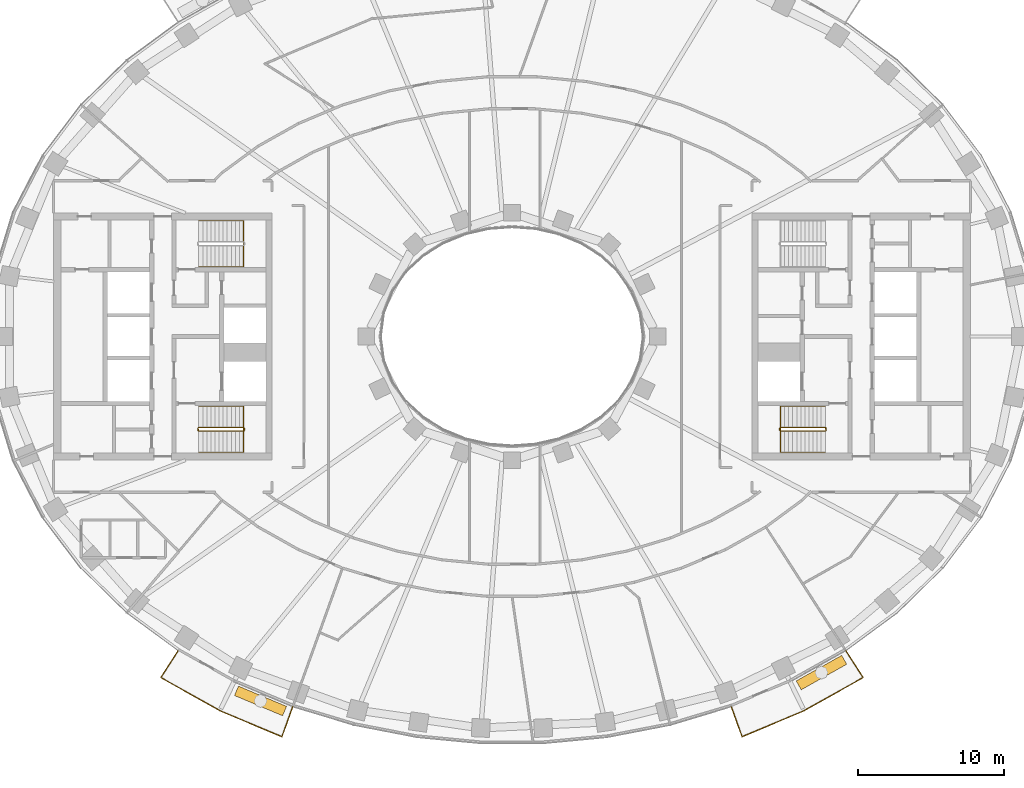
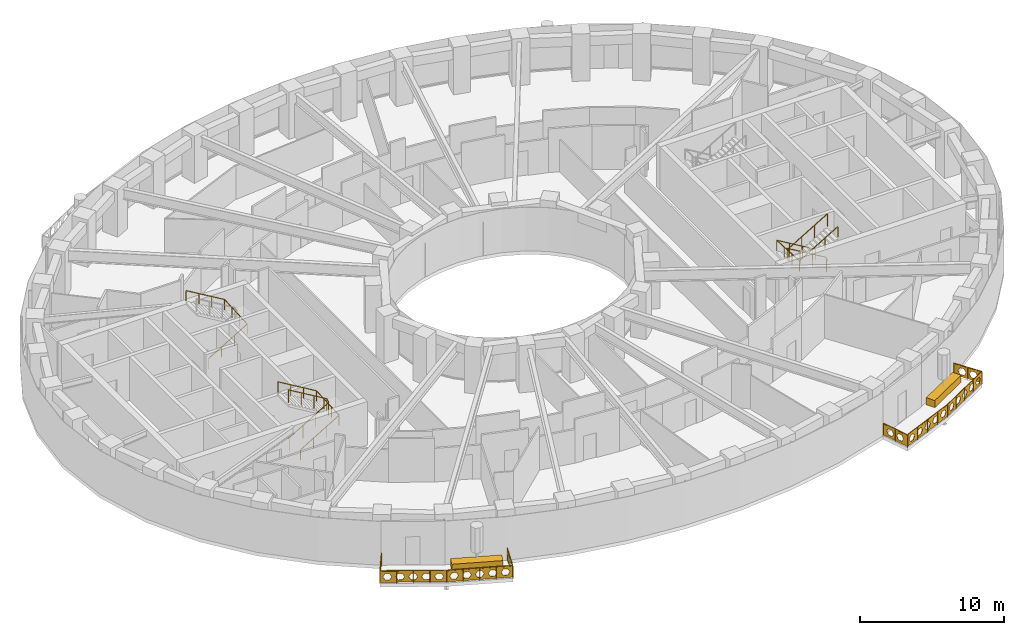
# One storey, part 14 of 16: 7 railings, 2 coverings.
"""IFC4 building model written with IfcOpenShell, lengths in metres."""

from ifc_helpers import new_model, si_unit, direction, frame, origin, origin_2d, place, context, subcontext, project, spatial, polyline, rectangle, outline, extrude, material, type_object, element, save


model = new_model("IFC4")

# Units and contexts
model_context = context("Model", 3, precision=1e-05, world=origin(), true_north=direction((0.0, 1.0)))
body_context = subcontext(model_context, "Body", "Model", "MODEL_VIEW")
ifc_project = project(units=[si_unit("LENGTHUNIT", "METRE"), si_unit("AREAUNIT", "SQUARE_METRE"), si_unit("VOLUMEUNIT", "CUBIC_METRE"), si_unit("PLANEANGLEUNIT", "RADIAN"), si_unit("MASSUNIT", "GRAM", prefix="KILO")], contexts=[model_context])

# Site, building, storey
site_placement = place(None, origin())
site = spatial("IfcSite", under=ifc_project, at=site_placement, CompositionType="ELEMENT")
building_placement = place(site_placement, origin())
building = spatial("IfcBuilding", under=site, at=building_placement, Name="Noorbagh Ring Tower", CompositionType="ELEMENT")
storey_placement = place(building_placement, frame((0.0, 0.0, 116.0)))
storey = spatial("IfcBuildingStorey", under=building, at=storey_placement, Name="L26", CompositionType="ELEMENT", Elevation=116.0)

# Railings
ifc_material_1 = material(Name="Stainless steel", Category="steel")
railing_type_1 = type_object("IfcRailingType", Name="CORE-STAIR-GUARD", PredefinedType="GUARDRAIL", material=ifc_material_1)
railing_1_placement = place(storey_placement, frame((-21.580078125, -6.449951171875, 0.0)))
element("IfcRailing", 1, at=railing_1_placement, inside=storey, type_object=railing_type_1, Name="L26 ST2 stair guard", PredefinedType="GUARDRAIL", context=body_context, shape_type="SweptSolid", body=[
    extrude(rectangle(XDim=0.048095703125, YDim=0.048095703125, at=origin_2d()), frame((0.0, 0.0, 1.076171875), z_axis=(0.0, 1.0, 0.0), x_axis=(-1.0, 0.0, 0.0)), (0.0, 0.0, 1.0), 0.14990234375),
    extrude(rectangle(XDim=0.048095703125, YDim=0.048095703125, at=origin_2d()), frame((0.0, 0.14990234375, 1.076171875), z_axis=(0.188775798145, -0.754182335027, 0.628945707965), x_axis=(0.970072785993, 0.242814311512, 0.0)), (0.0, 0.0, 1.0), 0.26513671875),
    extrude(rectangle(XDim=0.048095703125, YDim=0.048095703125, at=origin_2d()), frame((0.050048828125, -0.050048828125, 1.24267578125), z_axis=(0.859308565015, 0.0, 0.511457515432), x_axis=(0.0, 1.0, 0.0)), (0.0, 0.0, 1.0), 3.58447265625),
    extrude(rectangle(XDim=0.048095703125, YDim=0.048095703125, at=origin_2d()), frame((3.130126953125, -0.050048828125, 3.076171875), z_axis=(0.707106781187, 0.707106781187, 0.0), x_axis=(-0.707106781187, 0.707106781187, 0.0)), (0.0, 0.0, 1.0), 0.07080078125),
    extrude(rectangle(XDim=0.048095703125, YDim=0.048095703125, at=origin_2d()), frame((3.18017578125, 0.0, 3.076171875), z_axis=(0.0, 1.0, 0.0), x_axis=(-1.0, 0.0, 0.0)), (0.0, 0.0, 1.0), 0.14990234375),
    extrude(rectangle(XDim=0.048095703125, YDim=0.048095703125, at=origin_2d()), frame((3.18017578125, 0.14990234375, 3.076171875), z_axis=(-0.27628659633, 0.27628659633, 0.920506074601), x_axis=(-0.707106781187, -0.707106781187, 0.0)), (0.0, 0.0, 1.0), 0.18115234375),
    extrude(rectangle(XDim=0.048095703125, YDim=0.048095703125, at=origin_2d()), frame((3.130126953125, 0.199951171875, 3.24267578125), z_axis=(-0.859308565015, 0.0, 0.511457515432), x_axis=(0.0, -1.0, 0.0)), (0.0, 0.0, 1.0), 3.58447265625),
    extrude(rectangle(XDim=0.0419921875, YDim=0.0419921875, at=origin_2d()), origin(), (0.0, 0.0, 1.0), 1.052001953125),
    extrude(rectangle(XDim=0.0419921875, YDim=0.0419921875, at=origin_2d()), frame((1.07666015625, -0.050048828125, 0.77783203125)), (0.0, 0.0, 1.0), 1.052001953125),
    extrude(rectangle(XDim=0.0419921875, YDim=0.0419921875, at=origin_2d()), frame((2.103515625, -0.050048828125, 1.388916015625)), (0.0, 0.0, 1.0), 1.052001953125),
    extrude(rectangle(XDim=0.0419921875, YDim=0.0419921875, at=origin_2d()), frame((3.130126953125, -0.050048828125, 2.0)), (0.0, 0.0, 1.0), 1.052001953125),
    extrude(rectangle(XDim=0.0419921875, YDim=0.0419921875, at=origin_2d()), frame((3.130126953125, 0.199951171875, 2.166748046875)), (0.0, 0.0, 1.0), 1.052001953125),
    extrude(rectangle(XDim=0.0419921875, YDim=0.0419921875, at=origin_2d()), frame((2.103515625, 0.199951171875, 2.77783203125)), (0.0, 0.0, 1.0), 1.052001953125),
    extrude(rectangle(XDim=0.0419921875, YDim=0.0419921875, at=origin_2d()), frame((1.07666015625, 0.199951171875, 3.388916015625)), (0.0, 0.0, 1.0), 1.052001953125),
    extrude(rectangle(XDim=0.0419921875, YDim=0.0419921875, at=origin_2d()), frame((0.050048828125, 0.199951171875, 4.0)), (0.0, 0.0, 1.0), 1.052001953125),
])
railing_2_placement = place(storey_placement, frame((21.580078125, -6.300048828125, 0.0)))
element("IfcRailing", 2, at=railing_2_placement, inside=storey, type_object=railing_type_1, Name="L26 ST4 stair guard", PredefinedType="GUARDRAIL", context=body_context, shape_type="SweptSolid", body=[
    extrude(rectangle(XDim=0.048095703125, YDim=0.048095703125, at=origin_2d()), frame((0.0, 0.0, 1.076171875), z_axis=(0.0, -1.0, 0.0), x_axis=(1.0, 0.0, 0.0)), (0.0, 0.0, 1.0), 0.14990234375),
    extrude(rectangle(XDim=0.048095703125, YDim=0.048095703125, at=origin_2d()), frame((0.0, -0.14990234375, 1.076171875), z_axis=(-0.188775798145, 0.754182335027, 0.628945707965), x_axis=(-0.970072785993, -0.242814311512, 0.0)), (0.0, 0.0, 1.0), 0.26513671875),
    extrude(rectangle(XDim=0.048095703125, YDim=0.048095703125, at=origin_2d()), frame((-0.050048828125, 0.050048828125, 1.24267578125), z_axis=(-0.859308565015, 0.0, 0.511457515432), x_axis=(0.0, -1.0, 0.0)), (0.0, 0.0, 1.0), 3.58447265625),
    extrude(rectangle(XDim=0.048095703125, YDim=0.048095703125, at=origin_2d()), frame((-3.130126953125, 0.050048828125, 3.076171875), z_axis=(-0.707106781187, -0.707106781187, 0.0), x_axis=(0.707106781187, -0.707106781187, 0.0)), (0.0, 0.0, 1.0), 0.07080078125),
    extrude(rectangle(XDim=0.048095703125, YDim=0.048095703125, at=origin_2d()), frame((-3.18017578125, 0.0, 3.076171875), z_axis=(0.0, -1.0, 0.0), x_axis=(1.0, 0.0, 0.0)), (0.0, 0.0, 1.0), 0.14990234375),
    extrude(rectangle(XDim=0.048095703125, YDim=0.048095703125, at=origin_2d()), frame((-3.18017578125, -0.14990234375, 3.076171875), z_axis=(0.27628659633, -0.27628659633, 0.920506074601), x_axis=(0.707106781187, 0.707106781187, 0.0)), (0.0, 0.0, 1.0), 0.18115234375),
    extrude(rectangle(XDim=0.048095703125, YDim=0.048095703125, at=origin_2d()), frame((-3.130126953125, -0.199951171875, 3.24267578125), z_axis=(0.859308565015, 0.0, 0.511457515432), x_axis=(0.0, 1.0, 0.0)), (0.0, 0.0, 1.0), 3.58447265625),
    extrude(rectangle(XDim=0.0419921875, YDim=0.0419921875, at=origin_2d()), origin(), (0.0, 0.0, 1.0), 1.052001953125),
    extrude(rectangle(XDim=0.0419921875, YDim=0.0419921875, at=origin_2d()), frame((-1.07666015625, 0.050048828125, 0.77783203125)), (0.0, 0.0, 1.0), 1.052001953125),
    extrude(rectangle(XDim=0.0419921875, YDim=0.0419921875, at=origin_2d()), frame((-2.103515625, 0.050048828125, 1.388916015625)), (0.0, 0.0, 1.0), 1.052001953125),
    extrude(rectangle(XDim=0.0419921875, YDim=0.0419921875, at=origin_2d()), frame((-3.130126953125, 0.050048828125, 2.0)), (0.0, 0.0, 1.0), 1.052001953125),
    extrude(rectangle(XDim=0.0419921875, YDim=0.0419921875, at=origin_2d()), frame((-3.130126953125, -0.199951171875, 2.166748046875)), (0.0, 0.0, 1.0), 1.052001953125),
    extrude(rectangle(XDim=0.0419921875, YDim=0.0419921875, at=origin_2d()), frame((-2.103515625, -0.199951171875, 2.77783203125)), (0.0, 0.0, 1.0), 1.052001953125),
    extrude(rectangle(XDim=0.0419921875, YDim=0.0419921875, at=origin_2d()), frame((-1.07666015625, -0.199951171875, 3.388916015625)), (0.0, 0.0, 1.0), 1.052001953125),
    extrude(rectangle(XDim=0.0419921875, YDim=0.0419921875, at=origin_2d()), frame((-0.050048828125, -0.199951171875, 4.0)), (0.0, 0.0, 1.0), 1.052001953125),
])
ifc_material_2 = material(Name="Stainless steel", Category="steel")
railing_type_2 = type_object("IfcRailingType", Name="CORE-STAIR-HANDRAIL", PredefinedType="HANDRAIL", material=ifc_material_2)
railing_3_placement = place(storey_placement, frame((-21.530029296875, 4.800048828125, 0.166748046875)))
element("IfcRailing", 3, at=railing_3_placement, inside=storey, type_object=railing_type_2, Name="L26 ST1 stair handrail", PredefinedType="HANDRAIL", context=body_context, shape_type="SweptSolid", body=[
    extrude(rectangle(XDim=0.048095703125, YDim=0.048095703125, at=origin_2d()), frame((0.0, 0.0, 0.8759765625), z_axis=(0.859308565015, 0.0, 0.511457515432), x_axis=(0.0, 1.0, 0.0)), (0.0, 0.0, 1.0), 3.58447265625),
    extrude(rectangle(XDim=0.048095703125, YDim=0.048095703125, at=origin_2d()), frame((3.080078125, 0.0, 2.708984375), z_axis=(0.0, 0.998601747152, 0.052863509014), x_axis=(-1.0, 0.0, 0.0)), (0.0, 0.0, 1.0), 3.154296875),
    extrude(rectangle(XDim=0.048095703125, YDim=0.048095703125, at=origin_2d()), frame((3.080078125, 3.14990234375, 2.8759765625), z_axis=(-0.859308565015, 0.0, 0.511457515432), x_axis=(0.0, -1.0, 0.0)), (0.0, 0.0, 1.0), 3.58447265625),
    extrude(rectangle(XDim=0.0419921875, YDim=0.0419921875, at=origin_2d()), origin(), (0.0, 0.0, 1.0), 0.851806640625),
    extrude(rectangle(XDim=0.0419921875, YDim=0.0419921875, at=origin_2d()), frame((1.026611328125, 0.0, 0.611083984375)), (0.0, 0.0, 1.0), 0.851806640625),
    extrude(rectangle(XDim=0.0419921875, YDim=0.0419921875, at=origin_2d()), frame((2.053466796875, 0.0, 1.22216796875)), (0.0, 0.0, 1.0), 0.851806640625),
    extrude(rectangle(XDim=0.0419921875, YDim=0.0419921875, at=origin_2d()), frame((3.080078125, 0.0, 1.833251953125)), (0.0, 0.0, 1.0), 0.851806640625),
    extrude(rectangle(XDim=0.0419921875, YDim=0.0419921875, at=origin_2d()), frame((3.080078125, 1.050048828125, 1.888916015625)), (0.0, 0.0, 1.0), 0.851806640625),
    extrude(rectangle(XDim=0.0419921875, YDim=0.0419921875, at=origin_2d()), frame((3.080078125, 2.099853515625, 1.9443359375)), (0.0, 0.0, 1.0), 0.851806640625),
    extrude(rectangle(XDim=0.0419921875, YDim=0.0419921875, at=origin_2d()), frame((3.080078125, 3.14990234375, 2.0)), (0.0, 0.0, 1.0), 0.851806640625),
    extrude(rectangle(XDim=0.0419921875, YDim=0.0419921875, at=origin_2d()), frame((2.053466796875, 3.14990234375, 2.611083984375)), (0.0, 0.0, 1.0), 0.851806640625),
    extrude(rectangle(XDim=0.0419921875, YDim=0.0419921875, at=origin_2d()), frame((1.026611328125, 3.14990234375, 3.22216796875)), (0.0, 0.0, 1.0), 0.851806640625),
    extrude(rectangle(XDim=0.0419921875, YDim=0.0419921875, at=origin_2d()), frame((0.0, 3.14990234375, 3.833251953125)), (0.0, 0.0, 1.0), 0.851806640625),
])
railing_4_placement = place(storey_placement, frame((-21.530029296875, -7.949951171875, 0.166748046875)))
element("IfcRailing", 4, at=railing_4_placement, inside=storey, type_object=railing_type_2, Name="L26 ST2 stair handrail", PredefinedType="HANDRAIL", context=body_context, shape_type="SweptSolid", body=[
    extrude(rectangle(XDim=0.048095703125, YDim=0.048095703125, at=origin_2d()), frame((0.0, 0.0, 0.8759765625), z_axis=(0.859308565015, 0.0, 0.511457515432), x_axis=(0.0, 1.0, 0.0)), (0.0, 0.0, 1.0), 3.58447265625),
    extrude(rectangle(XDim=0.048095703125, YDim=0.048095703125, at=origin_2d()), frame((3.080078125, 0.0, 2.708984375), z_axis=(0.0, 0.998601747152, 0.052863509014), x_axis=(-1.0, 0.0, 0.0)), (0.0, 0.0, 1.0), 3.154296875),
    extrude(rectangle(XDim=0.048095703125, YDim=0.048095703125, at=origin_2d()), frame((3.080078125, 3.14990234375, 2.8759765625), z_axis=(-0.859308565015, 0.0, 0.511457515432), x_axis=(0.0, -1.0, 0.0)), (0.0, 0.0, 1.0), 3.58447265625),
    extrude(rectangle(XDim=0.0419921875, YDim=0.0419921875, at=origin_2d()), origin(), (0.0, 0.0, 1.0), 0.851806640625),
    extrude(rectangle(XDim=0.0419921875, YDim=0.0419921875, at=origin_2d()), frame((1.026611328125, 0.0, 0.611083984375)), (0.0, 0.0, 1.0), 0.851806640625),
    extrude(rectangle(XDim=0.0419921875, YDim=0.0419921875, at=origin_2d()), frame((2.053466796875, 0.0, 1.22216796875)), (0.0, 0.0, 1.0), 0.851806640625),
    extrude(rectangle(XDim=0.0419921875, YDim=0.0419921875, at=origin_2d()), frame((3.080078125, 0.0, 1.833251953125)), (0.0, 0.0, 1.0), 0.851806640625),
    extrude(rectangle(XDim=0.0419921875, YDim=0.0419921875, at=origin_2d()), frame((3.080078125, 1.050048828125, 1.888916015625)), (0.0, 0.0, 1.0), 0.851806640625),
    extrude(rectangle(XDim=0.0419921875, YDim=0.0419921875, at=origin_2d()), frame((3.080078125, 2.099853515625, 1.9443359375)), (0.0, 0.0, 1.0), 0.851806640625),
    extrude(rectangle(XDim=0.0419921875, YDim=0.0419921875, at=origin_2d()), frame((3.080078125, 3.14990234375, 2.0)), (0.0, 0.0, 1.0), 0.851806640625),
    extrude(rectangle(XDim=0.0419921875, YDim=0.0419921875, at=origin_2d()), frame((2.053466796875, 3.14990234375, 2.611083984375)), (0.0, 0.0, 1.0), 0.851806640625),
    extrude(rectangle(XDim=0.0419921875, YDim=0.0419921875, at=origin_2d()), frame((1.026611328125, 3.14990234375, 3.22216796875)), (0.0, 0.0, 1.0), 0.851806640625),
    extrude(rectangle(XDim=0.0419921875, YDim=0.0419921875, at=origin_2d()), frame((0.0, 3.14990234375, 3.833251953125)), (0.0, 0.0, 1.0), 0.851806640625),
])
railing_5_placement = place(storey_placement, frame((21.530029296875, -4.800048828125, 0.166748046875)))
element("IfcRailing", 5, at=railing_5_placement, inside=storey, type_object=railing_type_2, Name="L26 ST4 stair handrail", PredefinedType="HANDRAIL", context=body_context, shape_type="SweptSolid", body=[
    extrude(rectangle(XDim=0.048095703125, YDim=0.048095703125, at=origin_2d()), frame((0.0, 0.0, 0.8759765625), z_axis=(-0.859308565015, 0.0, 0.511457515432), x_axis=(0.0, -1.0, 0.0)), (0.0, 0.0, 1.0), 3.58447265625),
    extrude(rectangle(XDim=0.048095703125, YDim=0.048095703125, at=origin_2d()), frame((-3.080078125, 0.0, 2.708984375), z_axis=(0.0, -0.998601747152, 0.052863509014), x_axis=(1.0, 0.0, 0.0)), (0.0, 0.0, 1.0), 3.154296875),
    extrude(rectangle(XDim=0.048095703125, YDim=0.048095703125, at=origin_2d()), frame((-3.080078125, -3.14990234375, 2.8759765625), z_axis=(0.859308565015, 0.0, 0.511457515432), x_axis=(0.0, 1.0, 0.0)), (0.0, 0.0, 1.0), 3.58447265625),
    extrude(rectangle(XDim=0.0419921875, YDim=0.0419921875, at=origin_2d()), origin(), (0.0, 0.0, 1.0), 0.851806640625),
    extrude(rectangle(XDim=0.0419921875, YDim=0.0419921875, at=origin_2d()), frame((-1.026611328125, 0.0, 0.611083984375)), (0.0, 0.0, 1.0), 0.851806640625),
    extrude(rectangle(XDim=0.0419921875, YDim=0.0419921875, at=origin_2d()), frame((-2.053466796875, 0.0, 1.22216796875)), (0.0, 0.0, 1.0), 0.851806640625),
    extrude(rectangle(XDim=0.0419921875, YDim=0.0419921875, at=origin_2d()), frame((-3.080078125, 0.0, 1.833251953125)), (0.0, 0.0, 1.0), 0.851806640625),
    extrude(rectangle(XDim=0.0419921875, YDim=0.0419921875, at=origin_2d()), frame((-3.080078125, -1.050048828125, 1.888916015625)), (0.0, 0.0, 1.0), 0.851806640625),
    extrude(rectangle(XDim=0.0419921875, YDim=0.0419921875, at=origin_2d()), frame((-3.080078125, -2.099853515625, 1.9443359375)), (0.0, 0.0, 1.0), 0.851806640625),
    extrude(rectangle(XDim=0.0419921875, YDim=0.0419921875, at=origin_2d()), frame((-3.080078125, -3.14990234375, 2.0)), (0.0, 0.0, 1.0), 0.851806640625),
    extrude(rectangle(XDim=0.0419921875, YDim=0.0419921875, at=origin_2d()), frame((-2.053466796875, -3.14990234375, 2.611083984375)), (0.0, 0.0, 1.0), 0.851806640625),
    extrude(rectangle(XDim=0.0419921875, YDim=0.0419921875, at=origin_2d()), frame((-1.026611328125, -3.14990234375, 3.22216796875)), (0.0, 0.0, 1.0), 0.851806640625),
    extrude(rectangle(XDim=0.0419921875, YDim=0.0419921875, at=origin_2d()), frame((0.0, -3.14990234375, 3.833251953125)), (0.0, 0.0, 1.0), 0.851806640625),
])
ifc_material_3 = material(Name="Steel S275 black powder-coated", Category="steel")
railing_type_3 = type_object("IfcRailingType", Name="ENV-GUARD", PredefinedType="GUARDRAIL", material=ifc_material_3)
railing_6_placement = place(storey_placement, frame((-22.9326171875, -21.583740234375, 0.0)))
element("IfcRailing", 6, at=railing_6_placement, inside=storey, type_object=railing_type_3, Name="Balcony guard BS02", PredefinedType="GUARDRAIL", context=body_context, shape_type="SweptSolid", body=[
    extrude(rectangle(XDim=0.048095703125, YDim=0.048095703125, at=origin_2d()), frame((0.0, 0.0, 1.076171875), z_axis=(-0.542268136821, -0.840205491406, 0.0), x_axis=(0.840205491406, -0.542268136821, 0.0)), (0.0, 0.0, 1.0), 2.204345703125),
    extrude(rectangle(XDim=0.048095703125, YDim=0.048095703125, at=origin_2d()), frame((-1.1953125, -1.85205078125, 1.076171875), z_axis=(0.872052247658, -0.489412788303, 0.0), x_axis=(0.489412788303, 0.872052247658, 0.0)), (0.0, 0.0, 1.0), 4.646240234375),
    extrude(rectangle(XDim=0.048095703125, YDim=0.048095703125, at=origin_2d()), frame((2.8564453125, -4.1259765625, 1.076171875), z_axis=(0.921809087722, -0.387644174203, 0.0), x_axis=(0.387644174203, 0.921809087722, 0.0)), (0.0, 0.0, 1.0), 4.627197265625),
    extrude(rectangle(XDim=0.048095703125, YDim=0.048095703125, at=origin_2d()), frame((7.121826171875, -5.919677734375, 1.076171875), z_axis=(0.338350546839, 0.941020141896, 0.0), x_axis=(-0.941020141896, 0.338350546839, 0.0)), (0.0, 0.0, 1.0), 2.202880859375),
    extrude(rectangle(XDim=0.0419921875, YDim=0.0419921875, at=origin_2d()), origin(), (0.0, 0.0, 1.0), 1.052001953125),
    extrude(rectangle(XDim=0.0419921875, YDim=0.0419921875, at=origin_2d()), frame((-0.59765625, -0.926025390625, 0.0)), (0.0, 0.0, 1.0), 1.052001953125),
    extrude(rectangle(XDim=0.0419921875, YDim=0.0419921875, at=origin_2d()), frame((-1.1953125, -1.85205078125, 0.0)), (0.0, 0.0, 1.0), 1.052001953125),
    extrude(rectangle(XDim=0.0419921875, YDim=0.0419921875, at=origin_2d()), frame((-0.182373046875, -2.42041015625, 0.0)), (0.0, 0.0, 1.0), 1.052001953125),
    extrude(rectangle(XDim=0.0419921875, YDim=0.0419921875, at=origin_2d()), frame((0.83056640625, -2.989013671875, 0.0)), (0.0, 0.0, 1.0), 1.052001953125),
    extrude(rectangle(XDim=0.0419921875, YDim=0.0419921875, at=origin_2d()), frame((1.843505859375, -3.5576171875, 0.0)), (0.0, 0.0, 1.0), 1.052001953125),
    extrude(rectangle(XDim=0.0419921875, YDim=0.0419921875, at=origin_2d()), frame((2.8564453125, -4.1259765625, 0.0)), (0.0, 0.0, 1.0), 1.052001953125),
    extrude(rectangle(XDim=0.0419921875, YDim=0.0419921875, at=origin_2d()), frame((3.9228515625, -4.574462890625, 0.0)), (0.0, 0.0, 1.0), 1.052001953125),
    extrude(rectangle(XDim=0.0419921875, YDim=0.0419921875, at=origin_2d()), frame((4.9892578125, -5.02294921875, 0.0)), (0.0, 0.0, 1.0), 1.052001953125),
    extrude(rectangle(XDim=0.0419921875, YDim=0.0419921875, at=origin_2d()), frame((6.055419921875, -5.47119140625, 0.0)), (0.0, 0.0, 1.0), 1.052001953125),
    extrude(rectangle(XDim=0.0419921875, YDim=0.0419921875, at=origin_2d()), frame((7.121826171875, -5.919677734375, 0.0)), (0.0, 0.0, 1.0), 1.052001953125),
    extrude(rectangle(XDim=0.0419921875, YDim=0.0419921875, at=origin_2d()), frame((7.49462890625, -4.88330078125, 0.0)), (0.0, 0.0, 1.0), 1.052001953125),
    extrude(rectangle(XDim=0.0419921875, YDim=0.0419921875, at=origin_2d()), frame((7.8671875, -3.8466796875, 0.0)), (0.0, 0.0, 1.0), 1.052001953125),
    extrude(outline(polyline([(0.0, 0.10009765625), (2.204345703125, 0.10009765625), (2.204345703125, 1.031982421875), (0.0, 1.031982421875), (0.0, 0.10009765625)]), holes=[polyline([(0.962158203125, 0.56591796875), (0.80712890625, 0.83447265625), (0.4970703125, 0.83447265625), (0.342041015625, 0.56591796875), (0.4970703125, 0.297607421875), (0.80712890625, 0.297607421875), (0.962158203125, 0.56591796875)]), polyline([(1.862060546875, 0.56591796875), (1.70703125, 0.83447265625), (1.397216796875, 0.83447265625), (1.2421875, 0.56591796875), (1.397216796875, 0.297607421875), (1.70703125, 0.297607421875), (1.862060546875, 0.56591796875)])]), frame((0.00830078125, -0.00537109375, 0.0), z_axis=(-0.840205491406, 0.542268136821, 0.0), x_axis=(-0.542268136821, -0.840205491406, 0.0)), (0.0, 0.0, 1.0), 0.02001953125),
    extrude(outline(polyline([(0.0, 0.10009765625), (4.646240234375, 0.10009765625), (4.646240234375, 1.031982421875), (0.0, 1.031982421875), (0.0, 0.10009765625)]), holes=[polyline([(0.8330078125, 0.56591796875), (0.67822265625, 0.83447265625), (0.3681640625, 0.83447265625), (0.213134765625, 0.56591796875), (0.3681640625, 0.297607421875), (0.67822265625, 0.297607421875), (0.8330078125, 0.56591796875)]), polyline([(1.733154296875, 0.56591796875), (1.578125, 0.83447265625), (1.26806640625, 0.83447265625), (1.113037109375, 0.56591796875), (1.26806640625, 0.297607421875), (1.578125, 0.297607421875), (1.733154296875, 0.56591796875)]), polyline([(2.633056640625, 0.56591796875), (2.47802734375, 0.83447265625), (2.168212890625, 0.83447265625), (2.01318359375, 0.56591796875), (2.168212890625, 0.297607421875), (2.47802734375, 0.297607421875), (2.633056640625, 0.56591796875)]), polyline([(3.533203125, 0.56591796875), (3.378173828125, 0.83447265625), (3.068115234375, 0.83447265625), (2.9130859375, 0.56591796875), (3.068115234375, 0.297607421875), (3.378173828125, 0.297607421875), (3.533203125, 0.56591796875)]), polyline([(4.43310546875, 0.56591796875), (4.278076171875, 0.83447265625), (3.968017578125, 0.83447265625), (3.813232421875, 0.56591796875), (3.968017578125, 0.297607421875), (4.278076171875, 0.297607421875), (4.43310546875, 0.56591796875)])]), frame((-1.1904296875, -1.84326171875, 0.0), z_axis=(-0.489412788303, -0.872052247658, 0.0), x_axis=(0.872052247658, -0.489412788303, 0.0)), (0.0, 0.0, 1.0), 0.02001953125),
    extrude(outline(polyline([(0.0, 0.10009765625), (4.627197265625, 0.10009765625), (4.627197265625, 1.031982421875), (0.0, 1.031982421875), (0.0, 0.10009765625)]), holes=[polyline([(0.823486328125, 0.56591796875), (0.668701171875, 0.83447265625), (0.358642578125, 0.83447265625), (0.20361328125, 0.56591796875), (0.358642578125, 0.297607421875), (0.668701171875, 0.297607421875), (0.823486328125, 0.56591796875)]), polyline([(1.7236328125, 0.56591796875), (1.568603515625, 0.83447265625), (1.258544921875, 0.83447265625), (1.103515625, 0.56591796875), (1.258544921875, 0.297607421875), (1.568603515625, 0.297607421875), (1.7236328125, 0.56591796875)]), polyline([(2.62353515625, 0.56591796875), (2.468505859375, 0.83447265625), (2.15869140625, 0.83447265625), (2.003662109375, 0.56591796875), (2.15869140625, 0.297607421875), (2.468505859375, 0.297607421875), (2.62353515625, 0.56591796875)]), polyline([(3.523681640625, 0.56591796875), (3.36865234375, 0.83447265625), (3.05859375, 0.83447265625), (2.903564453125, 0.56591796875), (3.05859375, 0.297607421875), (3.36865234375, 0.297607421875), (3.523681640625, 0.56591796875)]), polyline([(4.423583984375, 0.56591796875), (4.2685546875, 0.83447265625), (3.95849609375, 0.83447265625), (3.8037109375, 0.56591796875), (3.95849609375, 0.297607421875), (4.2685546875, 0.297607421875), (4.423583984375, 0.56591796875)])]), frame((2.8603515625, -4.11669921875, 0.0), z_axis=(-0.387644174203, -0.921809087722, 0.0), x_axis=(0.921809087722, -0.387644174203, 0.0)), (0.0, 0.0, 1.0), 0.02001953125),
    extrude(outline(polyline([(0.0, 0.10009765625), (2.202880859375, 0.10009765625), (2.202880859375, 1.031982421875), (0.0, 1.031982421875), (0.0, 0.10009765625)]), holes=[polyline([(0.96142578125, 0.56591796875), (0.806396484375, 0.83447265625), (0.49658203125, 0.83447265625), (0.341552734375, 0.56591796875), (0.49658203125, 0.297607421875), (0.806396484375, 0.297607421875), (0.96142578125, 0.56591796875)]), polyline([(1.861572265625, 0.56591796875), (1.70654296875, 0.83447265625), (1.396484375, 0.83447265625), (1.241455078125, 0.56591796875), (1.396484375, 0.297607421875), (1.70654296875, 0.297607421875), (1.861572265625, 0.56591796875)])]), frame((7.1123046875, -5.916259765625, 0.0), z_axis=(0.941020141896, -0.338350546839, 0.0), x_axis=(0.338350546839, 0.941020141896, 0.0)), (0.0, 0.0, 1.0), 0.02001953125),
])
railing_7_placement = place(storey_placement, frame((15.0654296875, -25.430419921875, 0.0)))
element("IfcRailing", 7, at=railing_7_placement, inside=storey, type_object=railing_type_3, Name="Balcony guard BS05", PredefinedType="GUARDRAIL", context=body_context, shape_type="SweptSolid", body=[
    extrude(rectangle(XDim=0.048095703125, YDim=0.048095703125, at=origin_2d()), frame((0.0, 0.0, 1.076171875), z_axis=(0.338350546839, -0.941020141896, 0.0), x_axis=(0.941020141896, 0.338350546839, 0.0)), (0.0, 0.0, 1.0), 2.202880859375),
    extrude(rectangle(XDim=0.048095703125, YDim=0.048095703125, at=origin_2d()), frame((0.745361328125, -2.072998046875, 1.076171875), z_axis=(0.921809087722, 0.387644174203, 0.0), x_axis=(-0.387644174203, 0.921809087722, 0.0)), (0.0, 0.0, 1.0), 4.627197265625),
    extrude(rectangle(XDim=0.048095703125, YDim=0.048095703125, at=origin_2d()), frame((5.0107421875, -0.279296875, 1.076171875), z_axis=(0.872052247658, 0.489412788303, 0.0), x_axis=(-0.489412788303, 0.872052247658, 0.0)), (0.0, 0.0, 1.0), 4.646240234375),
    extrude(rectangle(XDim=0.048095703125, YDim=0.048095703125, at=origin_2d()), frame((9.0625, 1.99462890625, 1.076171875), z_axis=(-0.542268136821, 0.840205491406, 0.0), x_axis=(-0.840205491406, -0.542268136821, 0.0)), (0.0, 0.0, 1.0), 2.204345703125),
    extrude(rectangle(XDim=0.0419921875, YDim=0.0419921875, at=origin_2d()), origin(), (0.0, 0.0, 1.0), 1.052001953125),
    extrude(rectangle(XDim=0.0419921875, YDim=0.0419921875, at=origin_2d()), frame((0.37255859375, -1.03662109375, 0.0)), (0.0, 0.0, 1.0), 1.052001953125),
    extrude(rectangle(XDim=0.0419921875, YDim=0.0419921875, at=origin_2d()), frame((0.745361328125, -2.072998046875, 0.0)), (0.0, 0.0, 1.0), 1.052001953125),
    extrude(rectangle(XDim=0.0419921875, YDim=0.0419921875, at=origin_2d()), frame((1.811767578125, -1.62451171875, 0.0)), (0.0, 0.0, 1.0), 1.052001953125),
    extrude(rectangle(XDim=0.0419921875, YDim=0.0419921875, at=origin_2d()), frame((2.8779296875, -1.17626953125, 0.0)), (0.0, 0.0, 1.0), 1.052001953125),
    extrude(rectangle(XDim=0.0419921875, YDim=0.0419921875, at=origin_2d()), frame((3.9443359375, -0.727783203125, 0.0)), (0.0, 0.0, 1.0), 1.052001953125),
    extrude(rectangle(XDim=0.0419921875, YDim=0.0419921875, at=origin_2d()), frame((5.0107421875, -0.279296875, 0.0)), (0.0, 0.0, 1.0), 1.052001953125),
    extrude(rectangle(XDim=0.0419921875, YDim=0.0419921875, at=origin_2d()), frame((6.023681640625, 0.2890625, 0.0)), (0.0, 0.0, 1.0), 1.052001953125),
    extrude(rectangle(XDim=0.0419921875, YDim=0.0419921875, at=origin_2d()), frame((7.03662109375, 0.857666015625, 0.0)), (0.0, 0.0, 1.0), 1.052001953125),
    extrude(rectangle(XDim=0.0419921875, YDim=0.0419921875, at=origin_2d()), frame((8.049560546875, 1.42626953125, 0.0)), (0.0, 0.0, 1.0), 1.052001953125),
    extrude(rectangle(XDim=0.0419921875, YDim=0.0419921875, at=origin_2d()), frame((9.0625, 1.99462890625, 0.0)), (0.0, 0.0, 1.0), 1.052001953125),
    extrude(rectangle(XDim=0.0419921875, YDim=0.0419921875, at=origin_2d()), frame((8.46484375, 2.920654296875, 0.0)), (0.0, 0.0, 1.0), 1.052001953125),
    extrude(rectangle(XDim=0.0419921875, YDim=0.0419921875, at=origin_2d()), frame((7.8671875, 3.8466796875, 0.0)), (0.0, 0.0, 1.0), 1.052001953125),
    extrude(outline(polyline([(0.0, 0.10009765625), (2.202880859375, 0.10009765625), (2.202880859375, 1.031982421875), (0.0, 1.031982421875), (0.0, 0.10009765625)]), holes=[polyline([(0.96142578125, 0.56591796875), (0.806396484375, 0.83447265625), (0.49658203125, 0.83447265625), (0.341552734375, 0.56591796875), (0.49658203125, 0.297607421875), (0.806396484375, 0.297607421875), (0.96142578125, 0.56591796875)]), polyline([(1.861572265625, 0.56591796875), (1.70654296875, 0.83447265625), (1.396484375, 0.83447265625), (1.241455078125, 0.56591796875), (1.396484375, 0.297607421875), (1.70654296875, 0.297607421875), (1.861572265625, 0.56591796875)])]), frame((0.009521484375, 0.00341796875, 0.0), z_axis=(-0.941020141896, -0.338350546839, 0.0), x_axis=(0.338350546839, -0.941020141896, 0.0)), (0.0, 0.0, 1.0), 0.02001953125),
    extrude(outline(polyline([(0.0, 0.10009765625), (4.627197265625, 0.10009765625), (4.627197265625, 1.031982421875), (0.0, 1.031982421875), (0.0, 0.10009765625)]), holes=[polyline([(0.823486328125, 0.56591796875), (0.668701171875, 0.83447265625), (0.358642578125, 0.83447265625), (0.20361328125, 0.56591796875), (0.358642578125, 0.297607421875), (0.668701171875, 0.297607421875), (0.823486328125, 0.56591796875)]), polyline([(1.7236328125, 0.56591796875), (1.568603515625, 0.83447265625), (1.258544921875, 0.83447265625), (1.103515625, 0.56591796875), (1.258544921875, 0.297607421875), (1.568603515625, 0.297607421875), (1.7236328125, 0.56591796875)]), polyline([(2.62353515625, 0.56591796875), (2.468505859375, 0.83447265625), (2.15869140625, 0.83447265625), (2.003662109375, 0.56591796875), (2.15869140625, 0.297607421875), (2.468505859375, 0.297607421875), (2.62353515625, 0.56591796875)]), polyline([(3.523681640625, 0.56591796875), (3.36865234375, 0.83447265625), (3.05859375, 0.83447265625), (2.903564453125, 0.56591796875), (3.05859375, 0.297607421875), (3.36865234375, 0.297607421875), (3.523681640625, 0.56591796875)]), polyline([(4.423583984375, 0.56591796875), (4.2685546875, 0.83447265625), (3.95849609375, 0.83447265625), (3.8037109375, 0.56591796875), (3.95849609375, 0.297607421875), (4.2685546875, 0.297607421875), (4.423583984375, 0.56591796875)])]), frame((0.741455078125, -2.063720703125, 0.0), z_axis=(0.387644174203, -0.921809087722, 0.0), x_axis=(0.921809087722, 0.387644174203, 0.0)), (0.0, 0.0, 1.0), 0.02001953125),
    extrude(outline(polyline([(0.0, 0.10009765625), (4.646240234375, 0.10009765625), (4.646240234375, 1.031982421875), (0.0, 1.031982421875), (0.0, 0.10009765625)]), holes=[polyline([(0.8330078125, 0.56591796875), (0.67822265625, 0.83447265625), (0.3681640625, 0.83447265625), (0.213134765625, 0.56591796875), (0.3681640625, 0.297607421875), (0.67822265625, 0.297607421875), (0.8330078125, 0.56591796875)]), polyline([(1.733154296875, 0.56591796875), (1.578125, 0.83447265625), (1.26806640625, 0.83447265625), (1.113037109375, 0.56591796875), (1.26806640625, 0.297607421875), (1.578125, 0.297607421875), (1.733154296875, 0.56591796875)]), polyline([(2.633056640625, 0.56591796875), (2.47802734375, 0.83447265625), (2.168212890625, 0.83447265625), (2.01318359375, 0.56591796875), (2.168212890625, 0.297607421875), (2.47802734375, 0.297607421875), (2.633056640625, 0.56591796875)]), polyline([(3.533203125, 0.56591796875), (3.378173828125, 0.83447265625), (3.068115234375, 0.83447265625), (2.9130859375, 0.56591796875), (3.068115234375, 0.297607421875), (3.378173828125, 0.297607421875), (3.533203125, 0.56591796875)]), polyline([(4.43310546875, 0.56591796875), (4.278076171875, 0.83447265625), (3.968017578125, 0.83447265625), (3.813232421875, 0.56591796875), (3.968017578125, 0.297607421875), (4.278076171875, 0.297607421875), (4.43310546875, 0.56591796875)])]), frame((5.005859375, -0.2705078125, 0.0), z_axis=(0.489412788303, -0.872052247658, 0.0), x_axis=(0.872052247658, 0.489412788303, 0.0)), (0.0, 0.0, 1.0), 0.02001953125),
    extrude(outline(polyline([(0.0, 0.10009765625), (2.204345703125, 0.10009765625), (2.204345703125, 1.031982421875), (0.0, 1.031982421875), (0.0, 0.10009765625)]), holes=[polyline([(0.962158203125, 0.56591796875), (0.80712890625, 0.83447265625), (0.4970703125, 0.83447265625), (0.342041015625, 0.56591796875), (0.4970703125, 0.297607421875), (0.80712890625, 0.297607421875), (0.962158203125, 0.56591796875)]), polyline([(1.862060546875, 0.56591796875), (1.70703125, 0.83447265625), (1.397216796875, 0.83447265625), (1.2421875, 0.56591796875), (1.397216796875, 0.297607421875), (1.70703125, 0.297607421875), (1.862060546875, 0.56591796875)])]), frame((9.05419921875, 1.9892578125, 0.0), z_axis=(0.840205491406, 0.542268136821, 0.0), x_axis=(-0.542268136821, 0.840205491406, 0.0)), (0.0, 0.0, 1.0), 0.02001953125),
])

# Coverings
ifc_material_4 = material(Name="Concrete C30/37 planter with soil", Category="concrete")
covering_type = type_object("IfcCoveringType", Name="ENV-PLANTER", PredefinedType="CLADDING", material=ifc_material_4)
covering_1_placement = place(storey_placement, frame((-17.280517578125, -25.041259765625, 0.0), z_axis=(0.0, 0.0, 1.0), x_axis=(0.921811566494, -0.387638279686, 0.0)))
element("IfcCovering", 8, at=covering_1_placement, inside=storey, type_object=covering_type, Name="PLANTER BS02", ObjectType="PLANTER", PredefinedType="CLADDING", context=body_context, shape_type="SweptSolid", body=[
    extrude(rectangle(XDim=3.5859375, YDim=0.699951171875, at=origin_2d()), origin(), (0.0, 0.0, 1.0), 0.60009765625),
])
covering_2_placement = place(storey_placement, frame((21.26513671875, -23.093017578125, 0.0), z_axis=(0.0, 0.0, 1.0), x_axis=(0.872044586249, 0.48942643941, 0.0)))
element("IfcCovering", 9, at=covering_2_placement, inside=storey, type_object=covering_type, Name="PLANTER BS05", ObjectType="PLANTER", PredefinedType="CLADDING", context=body_context, shape_type="SweptSolid", body=[
    extrude(rectangle(XDim=3.58544921875, YDim=0.699951171875, at=origin_2d()), origin(), (0.0, 0.0, 1.0), 0.60009765625),
])

save(model, "model.ifc")
